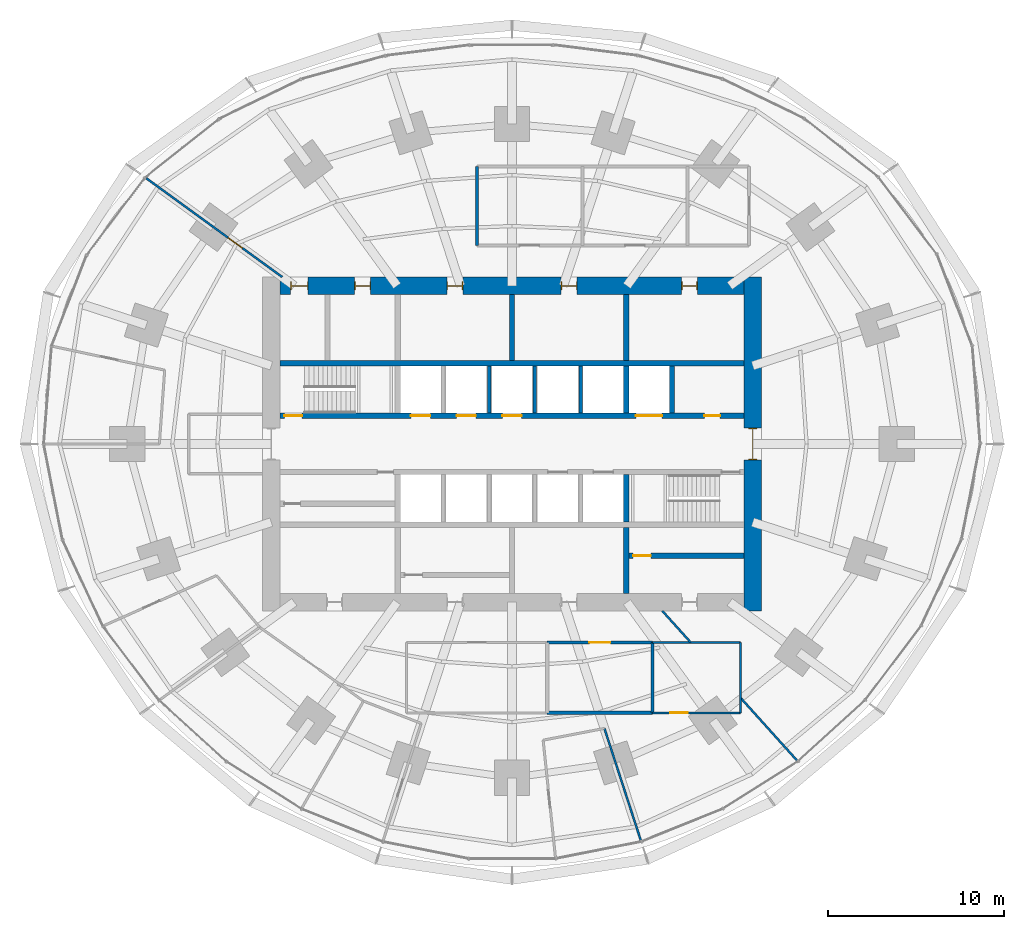
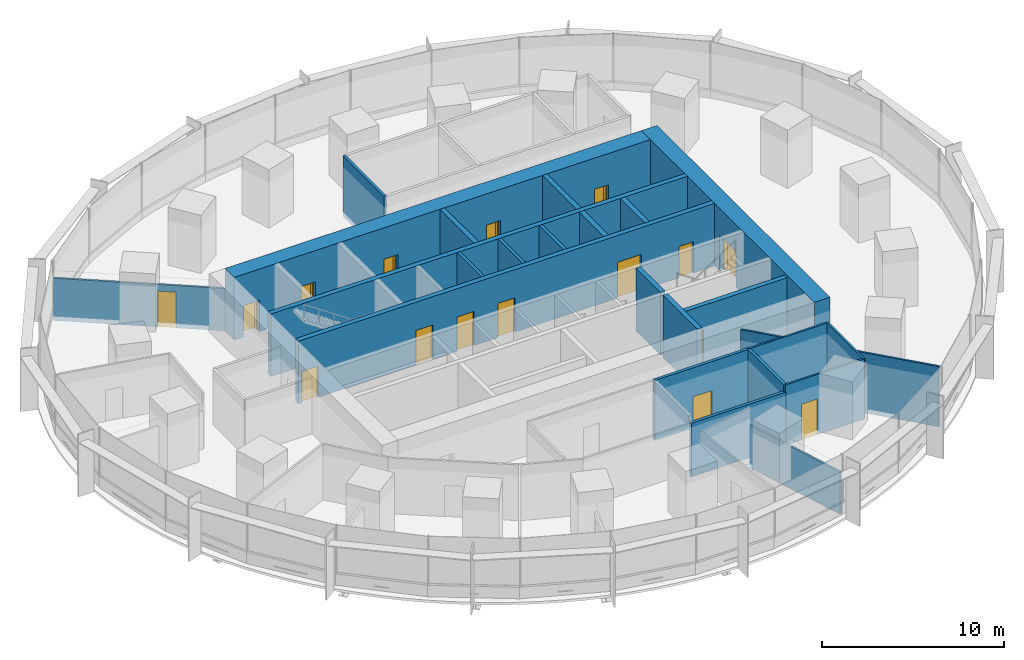
# One storey, part 12 of 15: 25 walls, 16 doors, 16 openings.
"""IFC4 building model written with IfcOpenShell, lengths in metres."""

from ifc_helpers import new_model, si_unit, direction, frame, frame_2d, origin, place, context, subcontext, project, spatial, rectangle, extrude, material, layer, layer_set, type_object, element, fill, save


model = new_model("IFC4")

# Units and contexts
model_context = context("Model", 3, precision=1e-05, world=origin(), true_north=direction((0.0, 1.0)))
body_context = subcontext(model_context, "Body", "Model", "MODEL_VIEW")
ifc_project = project(units=[si_unit("LENGTHUNIT", "METRE"), si_unit("AREAUNIT", "SQUARE_METRE"), si_unit("VOLUMEUNIT", "CUBIC_METRE"), si_unit("PLANEANGLEUNIT", "RADIAN"), si_unit("MASSUNIT", "GRAM", prefix="KILO")], contexts=[model_context])

# Site, building, storey
site_placement = place(None, origin())
site = spatial("IfcSite", under=ifc_project, at=site_placement, CompositionType="ELEMENT")
building_placement = place(site_placement, origin())
building = spatial("IfcBuilding", under=site, at=building_placement, Name="Marramba Exchange Tower", CompositionType="ELEMENT")
storey_placement = place(building_placement, frame((0.0, 0.0, 61.60009765625)))
storey = spatial("IfcBuildingStorey", under=building, at=storey_placement, Name="L14", CompositionType="ELEMENT", Elevation=61.60009765625)

# Walls
ifc_material_1 = material(Name="Plasterboard on staggered double steel studs, acoustic insulation", Category="steel")
ifc_layer_1 = layer(ifc_material_1, 0.169921875)
ifc_layer_set_1 = layer_set([ifc_layer_1], Name="Acoustic partition 170")
wall_type_1 = type_object("IfcWallType", Name="Acoustic partition 170", PredefinedType="PARTITIONING", material=ifc_layer_set_1)
wall_1_placement = place(storey_placement, frame((-2.0, 11.300048828125, 0.0), z_axis=(0.0, 0.0, 1.0), x_axis=(0.0, 1.0, 0.0)))
element("IfcWall", 1, at=wall_1_placement, inside=storey, type_object=wall_type_1, Name="Acoustic partition L14 29", PredefinedType="PARTITIONING", context=body_context, shape_type="SweptSolid", body=[
    extrude(rectangle(XDim=4.5, YDim=0.169921875, at=frame_2d((2.25, 0.0))), origin(), (0.0, 0.0, 1.0), 4.039794921875),
])
ifc_material_2 = material(Name="Concrete N50", Category="concrete")
ifc_layer_2 = layer(ifc_material_2, 0.199951171875)
ifc_layer_set_2 = layer_set([ifc_layer_2], Name="Core shaft wall 200")
wall_type_2 = type_object("IfcWallType", Name="Core shaft wall 200", PredefinedType="SHEAR", material=ifc_layer_set_2)
for number, where, z_axis, x_axis, name in (
    (2, (-1.300048828125, 1.75, 0.0), (0.0, 0.0, 1.0), (0.0, 1.0, 0.0), "Core wall SHN2 L14"),
    (3, (1.300048828125, 1.75, 0.0), (0.0, 0.0, 1.0), (0.0, 1.0, 0.0), "Core wall SHN3 L14"),
    (4, (3.89990234375, 1.75, 0.0), (0.0, 0.0, 1.0), (0.0, 1.0, 0.0), "Core wall SHN4 L14"),
):
    element("IfcWall", number, at=place(storey_placement, frame(where, z_axis=z_axis, x_axis=x_axis)), inside=storey, type_object=wall_type_2, Name=name, PredefinedType="SHEAR", context=body_context, shape_type="SweptSolid", body=[
        extrude(rectangle(XDim=2.699951171875, YDim=0.199951171875, at=frame_2d((1.35009765625, 0.0))), origin(), (0.0, 0.0, 1.0), 4.199951171875),
    ])

# Wall, openings, doors
ifc_layer_3 = layer(ifc_material_2, 1.0)
ifc_layer_set_3 = layer_set([ifc_layer_3], Name="Core wall 1000")
wall_type_3 = type_object("IfcWallType", Name="Core wall 1000", PredefinedType="SHEAR", material=ifc_layer_set_3)
wall_2_placement = place(storey_placement, frame((13.199951171875, 9.0, 0.0), z_axis=(0.0, 0.0, 1.0), x_axis=(-1.0, 0.0, 0.0)))
wall_2 = element("IfcWall", 5, at=wall_2_placement, inside=storey, type_object=wall_type_3, Name="Core wall N L14", PredefinedType="SHEAR", context=body_context, shape_type="SweptSolid", body=[
    extrude(rectangle(XDim=26.39990234375, YDim=1.0, at=frame_2d((13.199951171875, 0.0))), origin(), (0.0, 0.0, 1.0), 4.199951171875),
])
opening_1_placement = place(wall_2_placement, frame((2.64990234375, 0.0, 0.0)))
opening_1 = element("IfcOpeningElement", 6, at=opening_1_placement, cuts=wall_2, Name="Opening D5", PredefinedType="OPENING", context=body_context, shape_type="SweptSolid", body=[
    extrude(rectangle(XDim=0.89990234375, YDim=2.10009765625, at=frame_2d((0.449951171875, 1.050048828125))), frame((0.0, 0.510009765625, 0.0), z_axis=(0.0, -1.0, 0.0), x_axis=(1.0, 0.0, 0.0)), (0.0, 0.0, 1.0), 1.02001953125),
])
opening_2_placement = place(wall_2_placement, frame((9.5, 0.0, 0.0)))
opening_2 = element("IfcOpeningElement", 7, at=opening_2_placement, cuts=wall_2, Name="Opening D3", PredefinedType="OPENING", context=body_context, shape_type="SweptSolid", body=[
    extrude(rectangle(XDim=0.89990234375, YDim=2.10009765625, at=frame_2d((0.449951171875, 1.050048828125))), frame((0.0, 0.510009765625, 0.0), z_axis=(0.0, -1.0, 0.0), x_axis=(1.0, 0.0, 0.0)), (0.0, 0.0, 1.0), 1.02001953125),
])
opening_3_placement = place(wall_2_placement, frame((16.0, 0.0, 0.0)))
opening_3 = element("IfcOpeningElement", 8, at=opening_3_placement, cuts=wall_2, Name="Opening D3", PredefinedType="OPENING", context=body_context, shape_type="SweptSolid", body=[
    extrude(rectangle(XDim=0.89990234375, YDim=2.10009765625, at=frame_2d((0.449951171875, 1.050048828125))), frame((0.0, 0.510009765625, 0.0), z_axis=(0.0, -1.0, 0.0), x_axis=(1.0, 0.0, 0.0)), (0.0, 0.0, 1.0), 1.02001953125),
])
opening_4_placement = place(wall_2_placement, frame((21.25, 0.0, 0.0)))
opening_4 = element("IfcOpeningElement", 9, at=opening_4_placement, cuts=wall_2, Name="Opening D5", PredefinedType="OPENING", context=body_context, shape_type="SweptSolid", body=[
    extrude(rectangle(XDim=0.89990234375, YDim=2.10009765625, at=frame_2d((0.449951171875, 1.050048828125))), frame((0.0, 0.510009765625, 0.0), z_axis=(0.0, -1.0, 0.0), x_axis=(1.0, 0.0, 0.0)), (0.0, 0.0, 1.0), 1.02001953125),
])
opening_5_placement = place(wall_2_placement, frame((24.800048828125, 0.0, 0.0)))
opening_5 = element("IfcOpeningElement", 10, at=opening_5_placement, cuts=wall_2, Name="Opening D4", PredefinedType="OPENING", context=body_context, shape_type="SweptSolid", body=[
    extrude(rectangle(XDim=1.0, YDim=2.10009765625, at=frame_2d((0.5, 1.050048828125))), frame((0.0, 0.510009765625, 0.0), z_axis=(0.0, -1.0, 0.0), x_axis=(1.0, 0.0, 0.0)), (0.0, 0.0, 1.0), 1.02001953125),
])
ifc_material_3 = material(Name="Steel-framed door", Category="steel")
door_type_1 = type_object("IfcDoorType", Name="Accessible toilet door 1000x2100", OperationType="SINGLE_SWING_LEFT", PredefinedType="DOOR", material=ifc_material_3)
door_1_placement = place(opening_5_placement, origin())
door_1 = element("IfcDoor", 11, at=door_1_placement, inside=storey, type_object=door_type_1, Name="D4 awc L14", OperationType="SINGLE_SWING_RIGHT", OverallHeight=2.10009765625, OverallWidth=1.0, PredefinedType="DOOR", context=body_context, shape_type="SweptSolid", body=[
    extrude(rectangle(XDim=0.919921875, YDim=2.06005859375, at=frame_2d((0.5, 1.030029296875))), frame((0.0, 0.02490234375, 0.0), z_axis=(0.0, -1.0, 0.0), x_axis=(1.0, 0.0, 0.0)), (0.0, 0.0, 1.0), 0.050048828125),
    extrude(rectangle(XDim=0.04, YDim=2.10009765625, at=frame_2d((0.02001953125, 1.050048828125))), frame((0.0, 0.25, 0.0), z_axis=(0.0, -1.0, 0.0), x_axis=(1.0, 0.0, 0.0)), (0.0, 0.0, 1.0), 0.5),
    extrude(rectangle(XDim=0.04, YDim=2.10009765625, at=frame_2d((0.97998046875, 1.050048828125))), frame((0.0, 0.25, 0.0), z_axis=(0.0, -1.0, 0.0), x_axis=(1.0, 0.0, 0.0)), (0.0, 0.0, 1.0), 0.5),
    extrude(rectangle(XDim=0.919921875, YDim=0.04, at=frame_2d((0.5, 2.080078125))), frame((0.0, 0.25, 0.0), z_axis=(0.0, -1.0, 0.0), x_axis=(1.0, 0.0, 0.0)), (0.0, 0.0, 1.0), 0.5),
])
fill(opening_5, door_1)
door_type_2 = type_object("IfcDoorType", Name="Service door 900x2100", OperationType="SINGLE_SWING_LEFT", PredefinedType="DOOR", material=ifc_material_3)
door_2_placement = place(opening_1_placement, origin())
door_2 = element("IfcDoor", 12, at=door_2_placement, inside=storey, type_object=door_type_2, Name="D5 comms L14", OperationType="SINGLE_SWING_LEFT", OverallHeight=2.10009765625, OverallWidth=0.89990234375, PredefinedType="DOOR", context=body_context, shape_type="SweptSolid", body=[
    extrude(rectangle(XDim=0.81982421875, YDim=2.06005859375, at=frame_2d((0.449951171875, 1.030029296875))), frame((0.0, 0.02490234375, 0.0), z_axis=(0.0, -1.0, 0.0), x_axis=(1.0, 0.0, 0.0)), (0.0, 0.0, 1.0), 0.050048828125),
    extrude(rectangle(XDim=0.04, YDim=2.10009765625, at=frame_2d((0.02001953125, 1.050048828125))), frame((0.0, 0.25, 0.0), z_axis=(0.0, -1.0, 0.0), x_axis=(1.0, 0.0, 0.0)), (0.0, 0.0, 1.0), 0.5),
    extrude(rectangle(XDim=0.04, YDim=2.10009765625, at=frame_2d((0.8798828125, 1.050048828125))), frame((0.0, 0.25, 0.0), z_axis=(0.0, -1.0, 0.0), x_axis=(1.0, 0.0, 0.0)), (0.0, 0.0, 1.0), 0.5),
    extrude(rectangle(XDim=0.81982421875, YDim=0.04, at=frame_2d((0.449951171875, 2.080078125))), frame((0.0, 0.25, 0.0), z_axis=(0.0, -1.0, 0.0), x_axis=(1.0, 0.0, 0.0)), (0.0, 0.0, 1.0), 0.5),
])
fill(opening_1, door_2)
door_3_placement = place(opening_4_placement, origin())
door_3 = element("IfcDoor", 13, at=door_3_placement, inside=storey, type_object=door_type_2, Name="D5 cleaner L14", OperationType="SINGLE_SWING_RIGHT", OverallHeight=2.10009765625, OverallWidth=0.89990234375, PredefinedType="DOOR", context=body_context, shape_type="SweptSolid", body=[
    extrude(rectangle(XDim=0.81982421875, YDim=2.06005859375, at=frame_2d((0.449951171875, 1.030029296875))), frame((0.0, 0.02490234375, 0.0), z_axis=(0.0, -1.0, 0.0), x_axis=(1.0, 0.0, 0.0)), (0.0, 0.0, 1.0), 0.050048828125),
    extrude(rectangle(XDim=0.04, YDim=2.10009765625, at=frame_2d((0.02001953125, 1.050048828125))), frame((0.0, 0.25, 0.0), z_axis=(0.0, -1.0, 0.0), x_axis=(1.0, 0.0, 0.0)), (0.0, 0.0, 1.0), 0.5),
    extrude(rectangle(XDim=0.04, YDim=2.10009765625, at=frame_2d((0.8798828125, 1.050048828125))), frame((0.0, 0.25, 0.0), z_axis=(0.0, -1.0, 0.0), x_axis=(1.0, 0.0, 0.0)), (0.0, 0.0, 1.0), 0.5),
    extrude(rectangle(XDim=0.81982421875, YDim=0.04, at=frame_2d((0.449951171875, 2.080078125))), frame((0.0, 0.25, 0.0), z_axis=(0.0, -1.0, 0.0), x_axis=(1.0, 0.0, 0.0)), (0.0, 0.0, 1.0), 0.5),
])
fill(opening_4, door_3)
door_type_3 = type_object("IfcDoorType", Name="Toilet door 900x2100", OperationType="SINGLE_SWING_LEFT", PredefinedType="DOOR", material=ifc_material_3)
door_4_placement = place(opening_2_placement, origin())
door_4 = element("IfcDoor", 14, at=door_4_placement, inside=storey, type_object=door_type_3, Name="D3 wc-f L14", OperationType="SINGLE_SWING_RIGHT", OverallHeight=2.10009765625, OverallWidth=0.89990234375, PredefinedType="DOOR", context=body_context, shape_type="SweptSolid", body=[
    extrude(rectangle(XDim=0.81982421875, YDim=2.06005859375, at=frame_2d((0.449951171875, 1.030029296875))), frame((0.0, 0.02490234375, 0.0), z_axis=(0.0, -1.0, 0.0), x_axis=(1.0, 0.0, 0.0)), (0.0, 0.0, 1.0), 0.050048828125),
    extrude(rectangle(XDim=0.04, YDim=2.10009765625, at=frame_2d((0.02001953125, 1.050048828125))), frame((0.0, 0.25, 0.0), z_axis=(0.0, -1.0, 0.0), x_axis=(1.0, 0.0, 0.0)), (0.0, 0.0, 1.0), 0.5),
    extrude(rectangle(XDim=0.04, YDim=2.10009765625, at=frame_2d((0.8798828125, 1.050048828125))), frame((0.0, 0.25, 0.0), z_axis=(0.0, -1.0, 0.0), x_axis=(1.0, 0.0, 0.0)), (0.0, 0.0, 1.0), 0.5),
    extrude(rectangle(XDim=0.81982421875, YDim=0.04, at=frame_2d((0.449951171875, 2.080078125))), frame((0.0, 0.25, 0.0), z_axis=(0.0, -1.0, 0.0), x_axis=(1.0, 0.0, 0.0)), (0.0, 0.0, 1.0), 0.5),
])
fill(opening_2, door_4)
door_5_placement = place(opening_3_placement, origin())
door_5 = element("IfcDoor", 15, at=door_5_placement, inside=storey, type_object=door_type_3, Name="D3 wc-m L14", OperationType="SINGLE_SWING_RIGHT", OverallHeight=2.10009765625, OverallWidth=0.89990234375, PredefinedType="DOOR", context=body_context, shape_type="SweptSolid", body=[
    extrude(rectangle(XDim=0.81982421875, YDim=2.06005859375, at=frame_2d((0.449951171875, 1.030029296875))), frame((0.0, 0.02490234375, 0.0), z_axis=(0.0, -1.0, 0.0), x_axis=(1.0, 0.0, 0.0)), (0.0, 0.0, 1.0), 0.050048828125),
    extrude(rectangle(XDim=0.04, YDim=2.10009765625, at=frame_2d((0.02001953125, 1.050048828125))), frame((0.0, 0.25, 0.0), z_axis=(0.0, -1.0, 0.0), x_axis=(1.0, 0.0, 0.0)), (0.0, 0.0, 1.0), 0.5),
    extrude(rectangle(XDim=0.04, YDim=2.10009765625, at=frame_2d((0.8798828125, 1.050048828125))), frame((0.0, 0.25, 0.0), z_axis=(0.0, -1.0, 0.0), x_axis=(1.0, 0.0, 0.0)), (0.0, 0.0, 1.0), 0.5),
    extrude(rectangle(XDim=0.81982421875, YDim=0.04, at=frame_2d((0.449951171875, 2.080078125))), frame((0.0, 0.25, 0.0), z_axis=(0.0, -1.0, 0.0), x_axis=(1.0, 0.0, 0.0)), (0.0, 0.0, 1.0), 0.5),
])
fill(opening_3, door_5)

# Wall, opening, door
wall_3_placement = place(storey_placement, frame((13.699951171875, -9.5, 0.0), z_axis=(0.0, 0.0, 1.0), x_axis=(0.0, 1.0, 0.0)))
wall_3 = element("IfcWall", 16, at=wall_3_placement, inside=storey, type_object=wall_type_3, Name="Core wall E L14", PredefinedType="SHEAR", context=body_context, shape_type="SweptSolid", body=[
    extrude(rectangle(XDim=19.0, YDim=1.0, at=frame_2d((9.5, 0.0))), origin(), (0.0, 0.0, 1.0), 4.199951171875),
])
opening_6_placement = place(wall_3_placement, frame((8.60009765625, 0.0, 0.0)))
opening_6 = element("IfcOpeningElement", 17, at=opening_6_placement, cuts=wall_3, Name="Opening D1", PredefinedType="OPENING", context=body_context, shape_type="SweptSolid", body=[
    extrude(rectangle(XDim=1.800048828125, YDim=2.39990234375, at=frame_2d((0.89990234375, 1.199951171875))), frame((0.0, 0.510009765625, 0.0), z_axis=(0.0, -1.0, 0.0), x_axis=(1.0, 0.0, 0.0)), (0.0, 0.0, 1.0), 1.02001953125),
])
door_type_4 = type_object("IfcDoorType", Name="Lobby exit door 1800x2400", OperationType="DOUBLE_DOOR_SINGLE_SWING", PredefinedType="DOOR", material=ifc_material_3)
door_6_placement = place(opening_6_placement, origin())
door_6 = element("IfcDoor", 18, at=door_6_placement, inside=storey, type_object=door_type_4, Name="D1 lobby exit east L14", OperationType="DOUBLE_DOOR_SINGLE_SWING", OverallHeight=2.39990234375, OverallWidth=1.800048828125, PredefinedType="DOOR", context=body_context, shape_type="SweptSolid", body=[
    extrude(rectangle(XDim=1.719970703125, YDim=2.35986328125, at=frame_2d((0.89990234375, 1.179931640625))), frame((0.0, 0.02490234375, 0.0), z_axis=(0.0, -1.0, 0.0), x_axis=(1.0, 0.0, 0.0)), (0.0, 0.0, 1.0), 0.050048828125),
    extrude(rectangle(XDim=0.04, YDim=2.39990234375, at=frame_2d((0.02001953125, 1.199951171875))), frame((0.0, 0.25, 0.0), z_axis=(0.0, -1.0, 0.0), x_axis=(1.0, 0.0, 0.0)), (0.0, 0.0, 1.0), 0.5),
    extrude(rectangle(XDim=0.04, YDim=2.39990234375, at=frame_2d((1.780029296875, 1.199951171875))), frame((0.0, 0.25, 0.0), z_axis=(0.0, -1.0, 0.0), x_axis=(1.0, 0.0, 0.0)), (0.0, 0.0, 1.0), 0.5),
    extrude(rectangle(XDim=1.719970703125, YDim=0.04, at=frame_2d((0.89990234375, 2.3798828125))), frame((0.0, 0.25, 0.0), z_axis=(0.0, -1.0, 0.0), x_axis=(1.0, 0.0, 0.0)), (0.0, 0.0, 1.0), 0.5),
])
fill(opening_6, door_6)

# Wall, openings, doors
ifc_layer_4 = layer(ifc_material_2, 0.300048828125)
ifc_layer_set_4 = layer_set([ifc_layer_4], Name="Core wall 300")
wall_type_4 = type_object("IfcWallType", Name="Core wall 300", PredefinedType="SHEAR", material=ifc_layer_set_4)
wall_4_placement = place(storey_placement, frame((-13.199951171875, 1.60009765625, 0.0), z_axis=(0.0, 0.0, 1.0), x_axis=(1.0, 0.0, 0.0)))
wall_4 = element("IfcWall", 19, at=wall_4_placement, inside=storey, type_object=wall_type_4, Name="Core wall LN L14", PredefinedType="SHEAR", context=body_context, shape_type="SweptSolid", body=[
    extrude(rectangle(XDim=26.39990234375, YDim=0.300048828125, at=frame_2d((13.199951171875, 0.0))), origin(), (0.0, 0.0, 1.0), 4.199951171875),
])
opening_7_placement = place(wall_4_placement, frame((0.25, 0.0, 0.0)))
opening_7 = element("IfcOpeningElement", 20, at=opening_7_placement, cuts=wall_4, Name="Opening D2", PredefinedType="OPENING", context=body_context, shape_type="SweptSolid", body=[
    extrude(rectangle(XDim=1.0, YDim=2.10009765625, at=frame_2d((0.5, 1.050048828125))), frame((0.0, 0.159912109375, 0.0), z_axis=(0.0, -1.0, 0.0), x_axis=(1.0, 0.0, 0.0)), (0.0, 0.0, 1.0), 0.320068359375),
])
opening_8_placement = place(wall_4_placement, frame((20.25, 0.0, 0.0)))
opening_8 = element("IfcOpeningElement", 21, at=opening_8_placement, cuts=wall_4, Name="Opening LD3", PredefinedType="OPENING", context=body_context, shape_type="SweptSolid", body=[
    extrude(rectangle(XDim=1.5, YDim=2.39990234375, at=frame_2d((0.75, 1.199951171875))), frame((0.0, 0.159912109375, 0.0), z_axis=(0.0, -1.0, 0.0), x_axis=(1.0, 0.0, 0.0)), (0.0, 0.0, 1.0), 0.320068359375),
])
opening_9_placement = place(wall_4_placement, frame((7.449951171875, 0.0, 0.0)))
opening_9 = element("IfcOpeningElement", 22, at=opening_9_placement, cuts=wall_4, Name="Opening LD1", PredefinedType="OPENING", context=body_context, shape_type="SweptSolid", body=[
    extrude(rectangle(XDim=1.10009765625, YDim=2.300048828125, at=frame_2d((0.550048828125, 1.14990234375))), frame((0.0, 0.159912109375, 0.0), z_axis=(0.0, -1.0, 0.0), x_axis=(1.0, 0.0, 0.0)), (0.0, 0.0, 1.0), 0.320068359375),
])
opening_10_placement = place(wall_4_placement, frame((10.050048828125, 0.0, 0.0)))
opening_10 = element("IfcOpeningElement", 23, at=opening_10_placement, cuts=wall_4, Name="Opening LD1", PredefinedType="OPENING", context=body_context, shape_type="SweptSolid", body=[
    extrude(rectangle(XDim=1.10009765625, YDim=2.300048828125, at=frame_2d((0.550048828125, 1.14990234375))), frame((0.0, 0.159912109375, 0.0), z_axis=(0.0, -1.0, 0.0), x_axis=(1.0, 0.0, 0.0)), (0.0, 0.0, 1.0), 0.320068359375),
])
opening_11_placement = place(wall_4_placement, frame((12.64990234375, 0.0, 0.0)))
opening_11 = element("IfcOpeningElement", 24, at=opening_11_placement, cuts=wall_4, Name="Opening LD1", PredefinedType="OPENING", context=body_context, shape_type="SweptSolid", body=[
    extrude(rectangle(XDim=1.10009765625, YDim=2.300048828125, at=frame_2d((0.550048828125, 1.14990234375))), frame((0.0, 0.159912109375, 0.0), z_axis=(0.0, -1.0, 0.0), x_axis=(1.0, 0.0, 0.0)), (0.0, 0.0, 1.0), 0.320068359375),
])
opening_12_placement = place(wall_4_placement, frame((24.14990234375, 0.0, 0.0)))
opening_12 = element("IfcOpeningElement", 25, at=opening_12_placement, cuts=wall_4, Name="Opening D5", PredefinedType="OPENING", context=body_context, shape_type="SweptSolid", body=[
    extrude(rectangle(XDim=0.89990234375, YDim=2.10009765625, at=frame_2d((0.449951171875, 1.050048828125))), frame((0.0, 0.159912109375, 0.0), z_axis=(0.0, -1.0, 0.0), x_axis=(1.0, 0.0, 0.0)), (0.0, 0.0, 1.0), 0.320068359375),
])
door_type_5 = type_object("IfcDoorType", Name="Goods lift landing door 1500x2400", OperationType="SLIDING_TO_LEFT", PredefinedType="DOOR", material=ifc_material_3)
door_7_placement = place(opening_8_placement, origin())
door_7 = element("IfcDoor", 26, at=door_7_placement, inside=storey, type_object=door_type_5, Name="GL1 landing door L14", OperationType="SLIDING_TO_LEFT", OverallHeight=2.39990234375, OverallWidth=1.5, PredefinedType="DOOR", context=body_context, shape_type="SweptSolid", body=[
    extrude(rectangle(XDim=1.5, YDim=2.39990234375, at=frame_2d((0.75, 1.199951171875))), frame((0.0, 0.02490234375, 0.0), z_axis=(0.0, -1.0, 0.0), x_axis=(1.0, 0.0, 0.0)), (0.0, 0.0, 1.0), 0.050048828125),
])
fill(opening_8, door_7)
door_type_6 = type_object("IfcDoorType", Name="Lift landing door 1100x2300", OperationType="SLIDING_TO_LEFT", PredefinedType="DOOR", material=ifc_material_3)
door_8_placement = place(opening_9_placement, origin())
door_8 = element("IfcDoor", 27, at=door_8_placement, inside=storey, type_object=door_type_6, Name="LA1 landing door L14", OperationType="SLIDING_TO_LEFT", OverallHeight=2.300048828125, OverallWidth=1.10009765625, PredefinedType="DOOR", context=body_context, shape_type="SweptSolid", body=[
    extrude(rectangle(XDim=1.10009765625, YDim=2.300048828125, at=frame_2d((0.550048828125, 1.14990234375))), frame((0.0, 0.02490234375, 0.0), z_axis=(0.0, -1.0, 0.0), x_axis=(1.0, 0.0, 0.0)), (0.0, 0.0, 1.0), 0.050048828125),
])
fill(opening_9, door_8)
door_9_placement = place(opening_10_placement, origin())
door_9 = element("IfcDoor", 28, at=door_9_placement, inside=storey, type_object=door_type_6, Name="LA2 landing door L14", OperationType="SLIDING_TO_LEFT", OverallHeight=2.300048828125, OverallWidth=1.10009765625, PredefinedType="DOOR", context=body_context, shape_type="SweptSolid", body=[
    extrude(rectangle(XDim=1.10009765625, YDim=2.300048828125, at=frame_2d((0.550048828125, 1.14990234375))), frame((0.0, 0.02490234375, 0.0), z_axis=(0.0, -1.0, 0.0), x_axis=(1.0, 0.0, 0.0)), (0.0, 0.0, 1.0), 0.050048828125),
])
fill(opening_10, door_9)
door_10_placement = place(opening_11_placement, origin())
door_10 = element("IfcDoor", 29, at=door_10_placement, inside=storey, type_object=door_type_6, Name="LA3 landing door L14", OperationType="SLIDING_TO_RIGHT", OverallHeight=2.300048828125, OverallWidth=1.10009765625, PredefinedType="DOOR", context=body_context, shape_type="SweptSolid", body=[
    extrude(rectangle(XDim=1.10009765625, YDim=2.300048828125, at=frame_2d((0.550048828125, 1.14990234375))), frame((0.0, 0.02490234375, 0.0), z_axis=(0.0, -1.0, 0.0), x_axis=(1.0, 0.0, 0.0)), (0.0, 0.0, 1.0), 0.050048828125),
])
fill(opening_11, door_10)
door_11_placement = place(opening_12_placement, origin())
door_11 = element("IfcDoor", 30, at=door_11_placement, inside=storey, type_object=door_type_2, Name="D5 riser L14", OperationType="SINGLE_SWING_RIGHT", OverallHeight=2.10009765625, OverallWidth=0.89990234375, PredefinedType="DOOR", context=body_context, shape_type="SweptSolid", body=[
    extrude(rectangle(XDim=0.89990234375, YDim=2.10009765625, at=frame_2d((0.449951171875, 1.050048828125))), frame((0.0, 0.02490234375, 0.0), z_axis=(0.0, -1.0, 0.0), x_axis=(1.0, 0.0, 0.0)), (0.0, 0.0, 1.0), 0.050048828125),
])
fill(opening_12, door_11)
door_type_7 = type_object("IfcDoorType", Name="Stair door 1000x2100", OperationType="SINGLE_SWING_LEFT", PredefinedType="DOOR", material=ifc_material_3)
door_12_placement = place(opening_7_placement, origin())
door_12 = element("IfcDoor", 31, at=door_12_placement, inside=storey, type_object=door_type_7, Name="D2 stair ST1 L14", OperationType="SINGLE_SWING_LEFT", OverallHeight=2.10009765625, OverallWidth=1.0, PredefinedType="DOOR", context=body_context, shape_type="SweptSolid", body=[
    extrude(rectangle(XDim=1.0, YDim=2.10009765625, at=frame_2d((0.5, 1.050048828125))), frame((0.0, 0.02490234375, 0.0), z_axis=(0.0, -1.0, 0.0), x_axis=(1.0, 0.0, 0.0)), (0.0, 0.0, 1.0), 0.050048828125),
])
fill(opening_7, door_12)

# Walls
wall_5_placement = place(storey_placement, frame((-13.199951171875, 4.60009765625, 0.0), z_axis=(0.0, 0.0, 1.0), x_axis=(1.0, 0.0, 0.0)))
element("IfcWall", 32, at=wall_5_placement, inside=storey, type_object=wall_type_4, Name="Core wall BN L14", PredefinedType="SHEAR", context=body_context, shape_type="SweptSolid", body=[
    extrude(rectangle(XDim=26.39990234375, YDim=0.300048828125, at=frame_2d((13.199951171875, 0.0))), origin(), (0.0, 0.0, 1.0), 4.199951171875),
])
wall_6_placement = place(storey_placement, frame((6.5, 1.75, 0.0), z_axis=(0.0, 0.0, 1.0), x_axis=(0.0, 1.0, 0.0)))
element("IfcWall", 33, at=wall_6_placement, inside=storey, type_object=wall_type_4, Name="Core wall X1Na L14", PredefinedType="SHEAR", context=body_context, shape_type="SweptSolid", body=[
    extrude(rectangle(XDim=2.699951171875, YDim=0.300048828125, at=frame_2d((1.35009765625, 0.0))), origin(), (0.0, 0.0, 1.0), 4.199951171875),
])
for number, where, z_axis, x_axis, name in (
    (34, (6.5, 4.75, 0.0), (0.0, 0.0, 1.0), (0.0, 1.0, 0.0), "Core wall X1Nb L14"),
    (35, (0.0, 4.75, 0.0), (0.0, 0.0, 1.0), (0.0, 1.0, 0.0), "Core wall MN L14"),
):
    element("IfcWall", number, at=place(storey_placement, frame(where, z_axis=z_axis, x_axis=x_axis)), inside=storey, type_object=wall_type_4, Name=name, PredefinedType="SHEAR", context=body_context, shape_type="SweptSolid", body=[
        extrude(rectangle(XDim=3.75, YDim=0.300048828125, at=frame_2d((1.875, 0.0))), origin(), (0.0, 0.0, 1.0), 4.199951171875),
    ])
wall_7_placement = place(storey_placement, frame((6.5, -1.75, 0.0), z_axis=(0.0, 0.0, 1.0), x_axis=(0.0, -1.0, 0.0)))
element("IfcWall", 36, at=wall_7_placement, inside=storey, type_object=wall_type_4, Name="Core wall X1Sa L14", PredefinedType="SHEAR", context=body_context, shape_type="SweptSolid", body=[
    extrude(rectangle(XDim=2.699951171875, YDim=0.300048828125, at=frame_2d((1.35009765625, 0.0))), origin(), (0.0, 0.0, 1.0), 4.199951171875),
])
wall_8_placement = place(storey_placement, frame((6.5, -4.75, 0.0), z_axis=(0.0, 0.0, 1.0), x_axis=(0.0, -1.0, 0.0)))
element("IfcWall", 37, at=wall_8_placement, inside=storey, type_object=wall_type_4, Name="Core wall X1Sb L14", PredefinedType="SHEAR", context=body_context, shape_type="SweptSolid", body=[
    extrude(rectangle(XDim=3.75, YDim=0.300048828125, at=frame_2d((1.875, 0.0))), origin(), (0.0, 0.0, 1.0), 4.199951171875),
])
wall_9_placement = place(storey_placement, frame((9.10009765625, 1.75, 0.0), z_axis=(0.0, 0.0, 1.0), x_axis=(0.0, 1.0, 0.0)))
element("IfcWall", 38, at=wall_9_placement, inside=storey, type_object=wall_type_4, Name="Core wall ED L14", PredefinedType="SHEAR", context=body_context, shape_type="SweptSolid", body=[
    extrude(rectangle(XDim=2.699951171875, YDim=0.300048828125, at=frame_2d((1.35009765625, 0.0))), origin(), (0.0, 0.0, 1.0), 4.199951171875),
])
ifc_material_4 = material(Name="Core-filled concrete blockwork, rendered", Category="masonry")
ifc_layer_5 = layer(ifc_material_4, 0.18994140625)
ifc_layer_set_5 = layer_set([ifc_layer_5], Name="Equipment room wall 190")
wall_type_5 = type_object("IfcWallType", Name="Equipment room wall 190", PredefinedType="SOLIDWALL", material=ifc_layer_set_5)
wall_10_placement = place(storey_placement, frame((2.0, -15.300048828125, 0.0), z_axis=(0.0, 0.0, 1.0), x_axis=(1.0, 0.0, 0.0)))
element("IfcWall", 39, at=wall_10_placement, inside=storey, type_object=wall_type_5, Name="Equipment room wall L14 16", PredefinedType="SOLIDWALL", context=body_context, shape_type="SweptSolid", body=[
    extrude(rectangle(XDim=6.0, YDim=0.18994140625, at=frame_2d((3.0, 0.0))), origin(), (0.0, 0.0, 1.0), 3.5859375),
])

# Wall, opening, door
wall_11_placement = place(storey_placement, frame((8.0, -11.300048828125, 0.0), z_axis=(0.0, 0.0, 1.0), x_axis=(-1.0, 0.0, 0.0)))
wall_11 = element("IfcWall", 40, at=wall_11_placement, inside=storey, type_object=wall_type_5, Name="Equipment room wall L14 17", PredefinedType="SOLIDWALL", context=body_context, shape_type="SweptSolid", body=[
    extrude(rectangle(XDim=6.0, YDim=0.18994140625, at=frame_2d((3.0, 0.0))), origin(), (0.0, 0.0, 1.0), 4.039794921875),
])
opening_13_placement = place(wall_11_placement, frame((2.39990234375, 0.0, 0.0)))
opening_13 = element("IfcOpeningElement", 41, at=opening_13_placement, cuts=wall_11, Name="Opening D16", PredefinedType="OPENING", context=body_context, shape_type="SweptSolid", body=[
    extrude(rectangle(XDim=1.199951171875, YDim=2.10009765625, at=frame_2d((0.60009765625, 1.050048828125))), frame((0.0, 0.10498046875, 0.0), z_axis=(0.0, -1.0, 0.0), x_axis=(1.0, 0.0, 0.0)), (0.0, 0.0, 1.0), 0.2099609375),
])
door_type_8 = type_object("IfcDoorType", Name="Equipment room door 1200x2100", OperationType="SINGLE_SWING_LEFT", PredefinedType="DOOR", material=ifc_material_3)
door_13_placement = place(opening_13_placement, origin())
door_13 = element("IfcDoor", 42, at=door_13_placement, inside=storey, type_object=door_type_8, Name="D16 Data Room L14", OperationType="SINGLE_SWING_RIGHT", OverallHeight=2.10009765625, OverallWidth=1.199951171875, PredefinedType="DOOR", context=body_context, shape_type="SweptSolid", body=[
    extrude(rectangle(XDim=1.199951171875, YDim=2.10009765625, at=frame_2d((0.60009765625, 1.050048828125))), frame((0.0, 0.02490234375, 0.0), z_axis=(0.0, -1.0, 0.0), x_axis=(1.0, 0.0, 0.0)), (0.0, 0.0, 1.0), 0.050048828125),
])
fill(opening_13, door_13)

# Walls
wall_12_placement = place(storey_placement, frame((8.0, -11.300048828125, 0.0), z_axis=(0.0, 0.0, 1.0), x_axis=(0.0, -1.0, 0.0)))
element("IfcWall", 43, at=wall_12_placement, inside=storey, type_object=wall_type_5, Name="Equipment room wall L14 18", PredefinedType="SOLIDWALL", context=body_context, shape_type="SweptSolid", body=[
    extrude(rectangle(XDim=4.0, YDim=0.18994140625, at=frame_2d((2.0, 0.0))), origin(), (0.0, 0.0, 1.0), 4.039794921875),
])
ifc_material_5 = material(Name="Plasterboard on steel studs", Category="steel")
ifc_layer_6 = layer(ifc_material_5, 0.1201171875)
ifc_layer_set_6 = layer_set([ifc_layer_6], Name="Partition 120")
wall_type_6 = type_object("IfcWallType", Name="Partition 120", PredefinedType="PARTITIONING", material=ifc_layer_set_6)
wall_13_placement = place(storey_placement, frame((7.330078125, -22.56005859375, 0.0), z_axis=(0.0, 0.0, 1.0), x_axis=(-0.309003676349, 0.951060843481, 0.0)))
element("IfcWall", 44, at=wall_13_placement, inside=storey, type_object=wall_type_6, Name="Partition L14 15", PredefinedType="PARTITIONING", context=body_context, shape_type="SweptSolid", body=[
    extrude(rectangle(XDim=6.699951171875, YDim=0.1201171875, at=frame_2d((3.35009765625, 0.0))), origin(), (0.0, 0.0, 1.0), 2.83984375),
])

# Wall, opening, door
wall_14_placement = place(storey_placement, frame((8.0, -15.300048828125, 0.0), z_axis=(0.0, 0.0, 1.0), x_axis=(1.0, 0.0, 0.0)))
wall_14 = element("IfcWall", 45, at=wall_14_placement, inside=storey, type_object=wall_type_6, Name="Partition L14 19", PredefinedType="PARTITIONING", context=body_context, shape_type="SweptSolid", body=[
    extrude(rectangle(XDim=5.0, YDim=0.1201171875, at=frame_2d((2.5, 0.0))), origin(), (0.0, 0.0, 1.0), 4.039794921875),
])
opening_14_placement = place(wall_14_placement, frame((1.0, 0.0, 0.0)))
opening_14 = element("IfcOpeningElement", 46, at=opening_14_placement, cuts=wall_14, Name="Opening D9", PredefinedType="OPENING", context=body_context, shape_type="SweptSolid", body=[
    extrude(rectangle(XDim=1.0, YDim=2.39990234375, at=frame_2d((0.5, 1.199951171875))), frame((0.0, 0.070068359375, 0.0), z_axis=(0.0, -1.0, 0.0), x_axis=(1.0, 0.0, 0.0)), (0.0, 0.0, 1.0), 0.14013671875),
])
ifc_material_6 = material(Name="Timber door", Category="wood")
door_type_9 = type_object("IfcDoorType", Name="Room door 1000x2400", OperationType="SINGLE_SWING_LEFT", PredefinedType="DOOR", material=ifc_material_6)
door_14_placement = place(opening_14_placement, origin())
door_14 = element("IfcDoor", 47, at=door_14_placement, inside=storey, type_object=door_type_9, Name="D9 Print Room L14", OperationType="SINGLE_SWING_LEFT", OverallHeight=2.39990234375, OverallWidth=1.0, PredefinedType="DOOR", context=body_context, shape_type="SweptSolid", body=[
    extrude(rectangle(XDim=1.0, YDim=2.39990234375, at=frame_2d((0.5, 1.199951171875))), frame((0.0, 0.02490234375, 0.0), z_axis=(0.0, -1.0, 0.0), x_axis=(1.0, 0.0, 0.0)), (0.0, 0.0, 1.0), 0.050048828125),
])
fill(opening_14, door_14)

# Walls
wall_15_placement = place(storey_placement, frame((10.174560546875, -11.300048828125, 0.0), z_axis=(0.0, 0.0, 1.0), x_axis=(-0.669148472958, 0.74312873793, 0.0)))
element("IfcWall", 48, at=wall_15_placement, inside=storey, type_object=wall_type_6, Name="Partition L14 20", PredefinedType="PARTITIONING", context=body_context, shape_type="SweptSolid", body=[
    extrude(rectangle(XDim=2.42236328125, YDim=0.1201171875, at=frame_2d((1.211181640625, 0.0))), origin(), (0.0, 0.0, 1.0), 4.039794921875),
])
wall_16_placement = place(storey_placement, frame((16.21435546875, -18.0078125, 0.0), z_axis=(0.0, 0.0, 1.0), x_axis=(-0.669138803937, 0.743137444263, 0.0)))
element("IfcWall", 49, at=wall_16_placement, inside=storey, type_object=wall_type_6, Name="Partition L14 21", PredefinedType="PARTITIONING", context=body_context, shape_type="SweptSolid", body=[
    extrude(rectangle(XDim=4.8037109375, YDim=0.1201171875, at=frame_2d((2.40185546875, 0.0))), origin(), (0.0, 0.0, 1.0), 4.039794921875),
])
wall_17_placement = place(storey_placement, frame((13.0, -11.300048828125, 0.0), z_axis=(0.0, 0.0, 1.0), x_axis=(-1.0, 0.0, 0.0)))
element("IfcWall", 50, at=wall_17_placement, inside=storey, type_object=wall_type_6, Name="Partition L14 22", PredefinedType="PARTITIONING", context=body_context, shape_type="SweptSolid", body=[
    extrude(rectangle(XDim=5.0, YDim=0.1201171875, at=frame_2d((2.5, 0.0))), origin(), (0.0, 0.0, 1.0), 4.039794921875),
])
wall_18_placement = place(storey_placement, frame((13.0, -15.300048828125, 0.0), z_axis=(0.0, 0.0, 1.0), x_axis=(0.0, 1.0, 0.0)))
element("IfcWall", 51, at=wall_18_placement, inside=storey, type_object=wall_type_6, Name="Partition L14 23", PredefinedType="PARTITIONING", context=body_context, shape_type="SweptSolid", body=[
    extrude(rectangle(XDim=4.0, YDim=0.1201171875, at=frame_2d((2.0, 0.0))), origin(), (0.0, 0.0, 1.0), 4.039794921875),
])

# Wall, opening, door
wall_19_placement = place(storey_placement, frame((-13.07568359375, 9.5, 0.0), z_axis=(0.0, 0.0, 1.0), x_axis=(-0.809017564037, 0.587784468219, 0.0)))
wall_19 = element("IfcWall", 52, at=wall_19_placement, inside=storey, type_object=wall_type_6, Name="Partition L14 30", PredefinedType="PARTITIONING", context=body_context, shape_type="SweptSolid", body=[
    extrude(rectangle(XDim=9.56103515625, YDim=0.1201171875, at=frame_2d((4.780517578125, 0.0))), origin(), (0.0, 0.0, 1.0), 2.83984375),
])
opening_15_placement = place(wall_19_placement, frame((2.802978515625, 0.0, 0.0)))
opening_15 = element("IfcOpeningElement", 53, at=opening_15_placement, cuts=wall_19, Name="Opening D9", PredefinedType="OPENING", context=body_context, shape_type="SweptSolid", body=[
    extrude(rectangle(XDim=1.0, YDim=2.39990234375, at=frame_2d((0.5, 1.199951171875))), frame((0.0, 0.070068359375, 0.0), z_axis=(0.0, -1.0, 0.0), x_axis=(1.0, 0.0, 0.0)), (0.0, 0.0, 1.0), 0.14013671875),
])
door_15_placement = place(opening_15_placement, origin())
door_15 = element("IfcDoor", 54, at=door_15_placement, inside=storey, type_object=door_type_9, Name="D9 Fixed Income Trading Floor L14", OperationType="SINGLE_SWING_LEFT", OverallHeight=2.39990234375, OverallWidth=1.0, PredefinedType="DOOR", context=body_context, shape_type="SweptSolid", body=[
    extrude(rectangle(XDim=1.0, YDim=2.39990234375, at=frame_2d((0.5, 1.199951171875))), frame((0.0, 0.02490234375, 0.0), z_axis=(0.0, -1.0, 0.0), x_axis=(1.0, 0.0, 0.0)), (0.0, 0.0, 1.0), 0.050048828125),
])
fill(opening_15, door_15)

ifc_material_7 = material(Name="Plasterboard on steel studs, insulated, unrated", Category="steel")
ifc_layer_7 = layer(ifc_material_7, 0.300048828125)
ifc_layer_set_7 = layer_set([ifc_layer_7], Name="Store partition 300")
wall_type_7 = type_object("IfcWallType", Name="Store partition 300", PredefinedType="PARTITIONING", material=ifc_layer_set_7)
wall_20_placement = place(storey_placement, frame((6.64990234375, -6.360107421875, 0.0), z_axis=(0.0, 0.0, 1.0), x_axis=(1.0, 0.0, 0.0)))
wall_20 = element("IfcWall", 55, at=wall_20_placement, inside=storey, type_object=wall_type_7, Name="Store partition L14 cstore", PredefinedType="PARTITIONING", context=body_context, shape_type="SweptSolid", body=[
    extrude(rectangle(XDim=6.550048828125, YDim=0.300048828125, at=frame_2d((3.27490234375, 0.0))), origin(), (0.0, 0.0, 1.0), 4.039794921875),
])
opening_16_placement = place(wall_20_placement, frame((0.25, 0.0, 0.0)))
opening_16 = element("IfcOpeningElement", 56, at=opening_16_placement, cuts=wall_20, Name="Opening D9", PredefinedType="OPENING", context=body_context, shape_type="SweptSolid", body=[
    extrude(rectangle(XDim=1.0, YDim=2.39990234375, at=frame_2d((0.5, 1.199951171875))), frame((0.0, 0.159912109375, 0.0), z_axis=(0.0, -1.0, 0.0), x_axis=(1.0, 0.0, 0.0)), (0.0, 0.0, 1.0), 0.320068359375),
])
door_16_placement = place(opening_16_placement, origin())
door_16 = element("IfcDoor", 57, at=door_16_placement, inside=storey, type_object=door_type_9, Name="D9 general store L14", OperationType="SINGLE_SWING_LEFT", OverallHeight=2.39990234375, OverallWidth=1.0, PredefinedType="DOOR", context=body_context, shape_type="SweptSolid", body=[
    extrude(rectangle(XDim=1.0, YDim=2.39990234375, at=frame_2d((0.5, 1.199951171875))), frame((0.0, 0.02490234375, 0.0), z_axis=(0.0, -1.0, 0.0), x_axis=(1.0, 0.0, 0.0)), (0.0, 0.0, 1.0), 0.050048828125),
])
fill(opening_16, door_16)

save(model, "model.ifc")
